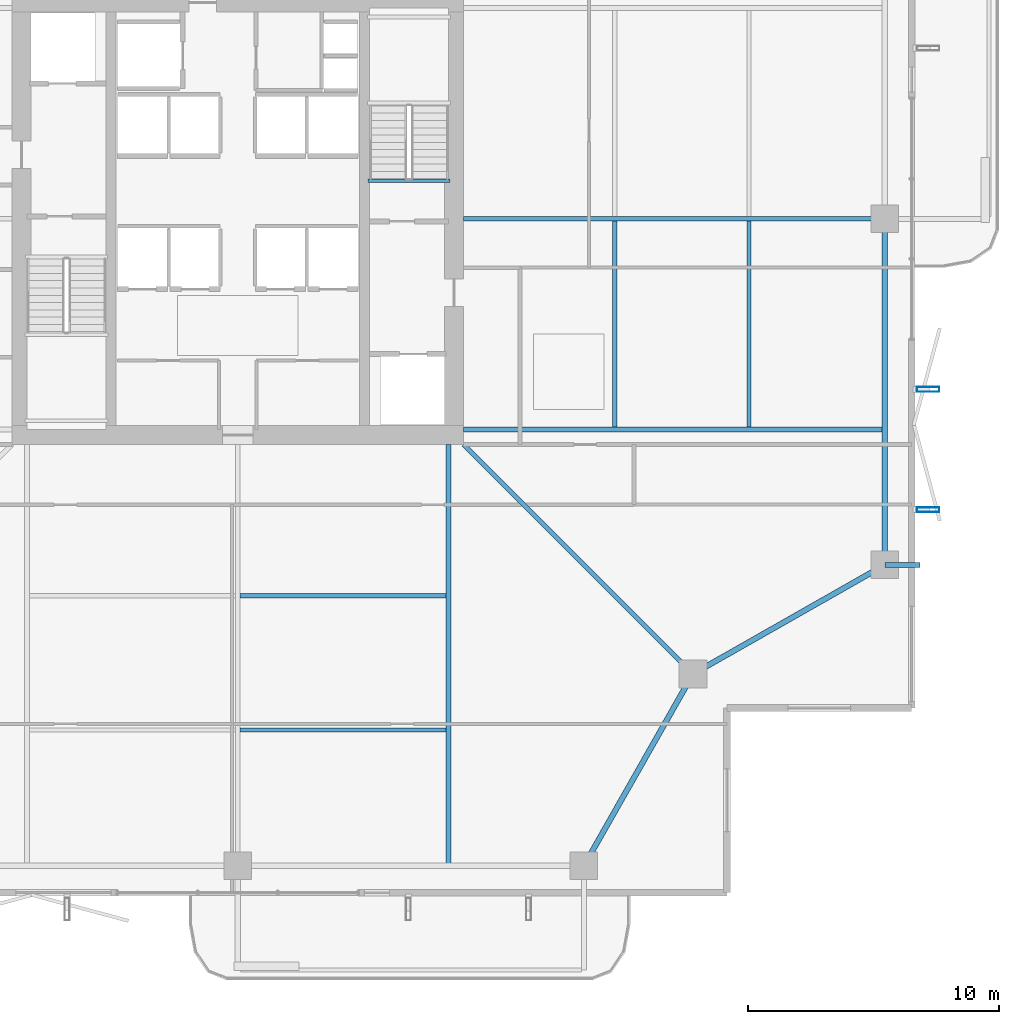
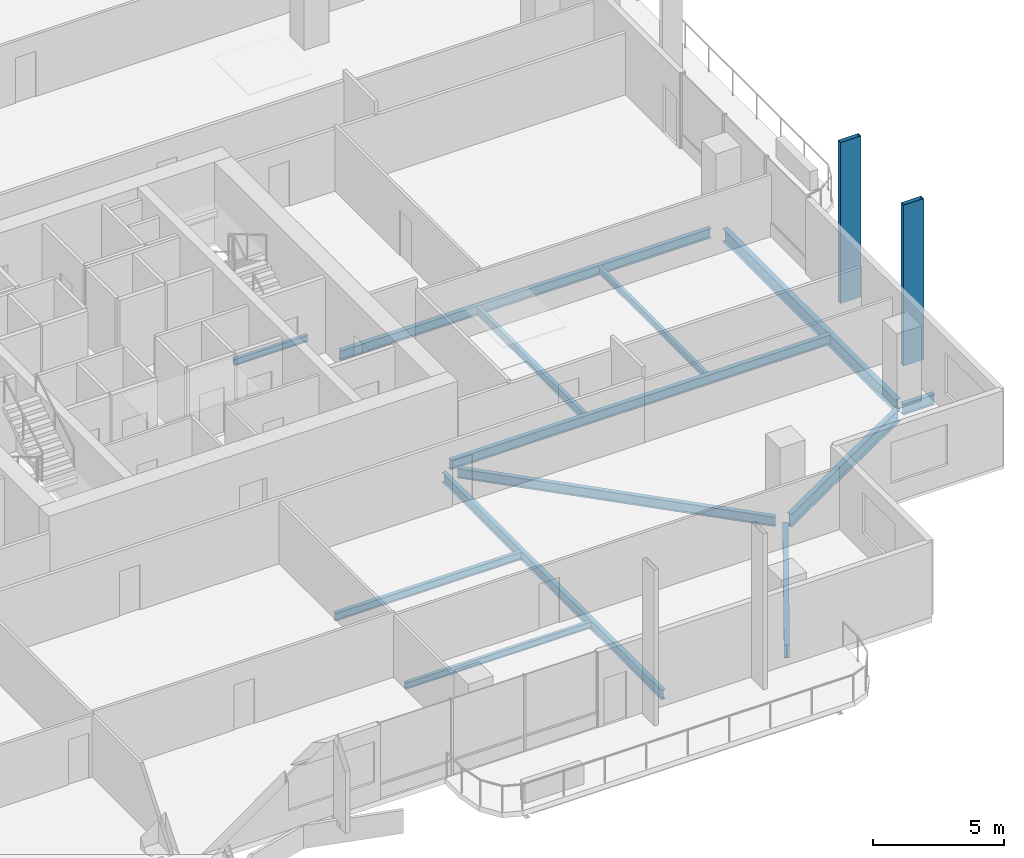
# One storey, part 7 of 24: 13 beams, 2 members.
"""IFC4 building model written with IfcOpenShell, lengths in metres."""

from ifc_helpers import new_model, si_unit, direction, frame, origin, origin_2d, place, context, subcontext, project, spatial, hollow_rectangle, i_section, extrude, material, material_profile, profile_set, type_object, element, save


model = new_model("IFC4")

# Units and contexts
model_context = context("Model", 3, precision=1e-05, world=origin(), true_north=direction((0.0, 1.0)))
body_context = subcontext(model_context, "Body", "Model", "MODEL_VIEW")
ifc_project = project(units=[si_unit("LENGTHUNIT", "METRE"), si_unit("AREAUNIT", "SQUARE_METRE"), si_unit("VOLUMEUNIT", "CUBIC_METRE"), si_unit("PLANEANGLEUNIT", "RADIAN"), si_unit("MASSUNIT", "GRAM", prefix="KILO")], contexts=[model_context])

# Site, building, storey
site_placement = place(None, origin())
site = spatial("IfcSite", under=ifc_project, at=site_placement, CompositionType="ELEMENT")
building_placement = place(site_placement, origin())
building = spatial("IfcBuilding", under=site, at=building_placement, Name="Belovzor Exchange Tower", CompositionType="ELEMENT")
storey_placement = place(building_placement, frame((0.0, 0.0, 226.199951171875)))
storey = spatial("IfcBuildingStorey", under=building, at=storey_placement, Name="L56", CompositionType="ELEMENT", Elevation=226.199951171875)

# Beams
ifc_material_1 = material(Name="Steel S355", Category="steel")
ifc_material_profile_1 = material_profile(ifc_material_1, i_section(OverallWidth=0.199951171875, OverallDepth=0.5, WebThickness=0.01025390625, FlangeThickness=0.01611328125, at=origin_2d()))
ifc_profile_set_1 = profile_set([ifc_material_profile_1], Name="Steel S355")
beam_type_1 = type_object("IfcBeamType", Name="Planted Balcony Cantilever Beam IPE 500", PredefinedType="BEAM", material=ifc_profile_set_1)
beam_1_placement = place(storey_placement, frame((54.60009765625, 15.0, -0.5), z_axis=(1.0, 0.0, 0.0), x_axis=(0.0, 1.0, 0.0)))
element("IfcBeam", 1, at=beam_1_placement, inside=storey, type_object=beam_type_1, Name="BC-500 Planted Balcony Cantilever Beam IPE 500", PredefinedType="BEAM", context=body_context, shape_type="SweptSolid", body=[
    extrude(i_section(OverallWidth=0.199951171875, OverallDepth=0.5, WebThickness=0.01025390625, FlangeThickness=0.01611328125, at=origin_2d()), origin(), (0.0, 0.0, 1.0), 1.39990234375),
])
ifc_material_2 = material(Name="Steel S355", Category="steel")
ifc_material_profile_2 = material_profile(ifc_material_2, i_section(OverallWidth=0.169921875, OverallDepth=0.360107421875, WebThickness=0.008056640625, FlangeThickness=0.0126953125, at=origin_2d()))
ifc_profile_set_2 = profile_set([ifc_material_profile_2], Name="Steel S355")
beam_type_2 = type_object("IfcBeamType", Name="Secondary Infill Floor Joist IPE 360", PredefinedType="BEAM", material=ifc_profile_set_2)
for number, where, z_axis, x_axis, name in (
    (2, (28.89501953125, 13.77197265625, -0.429931640625), (1.0, 0.0, 0.0), (0.0, 1.0, 0.0), "FJ-360 Secondary Infill Floor Joist IPE 360"),
    (3, (43.827880859375, 20.4951171875, -0.429931640625), (0.0, 1.0, 0.0), (-1.0, 0.0, 0.0), "FJ-360 Secondary Infill Floor Joist IPE 360"),
):
    element("IfcBeam", number, at=place(storey_placement, frame(where, z_axis=z_axis, x_axis=x_axis)), inside=storey, type_object=beam_type_2, Name=name, PredefinedType="BEAM", context=body_context, shape_type="SweptSolid", body=[
        extrude(i_section(OverallWidth=0.169921875, OverallDepth=0.360107421875, WebThickness=0.008056640625, FlangeThickness=0.0126953125, at=origin_2d()), origin(), (0.0, 0.0, 1.0), 8.2099609375),
    ])
ifc_material_3 = material(Name="Steel S355", Category="steel")
ifc_material_profile_3 = material_profile(ifc_material_3, i_section(OverallWidth=0.14990234375, OverallDepth=0.300048828125, WebThickness=0.007080078125, FlangeThickness=0.0107421875, at=origin_2d()))
ifc_profile_set_3 = profile_set([ifc_material_profile_3], Name="Steel S355")
beam_type_3 = type_object("IfcBeamType", Name="Secondary Trim Floor Joist IPE 300", PredefinedType="BEAM", material=ifc_profile_set_3)
beam_2_placement = place(storey_placement, frame((37.260009765625, 30.320068359375, -0.39990234375), z_axis=(-1.0, 0.0, 0.0), x_axis=(0.0, -1.0, 0.0)))
element("IfcBeam", 4, at=beam_2_placement, inside=storey, type_object=beam_type_3, Name="FJ-300 Secondary Trim Floor Joist IPE 300", PredefinedType="BEAM", context=body_context, shape_type="SweptSolid", body=[
    extrude(i_section(OverallWidth=0.14990234375, OverallDepth=0.300048828125, WebThickness=0.007080078125, FlangeThickness=0.0107421875, at=origin_2d()), origin(), (0.0, 0.0, 1.0), 3.27001953125),
])
for number, where, z_axis, x_axis, name in (
    (5, (28.89501953125, 8.4130859375, -0.39990234375), (1.0, 0.0, 0.0), (0.0, 1.0, 0.0), "FJ-300 Secondary Trim Floor Joist IPE 300"),
    (6, (49.18701171875, 20.4951171875, -0.39990234375), (0.0, 1.0, 0.0), (-1.0, 0.0, 0.0), "FJ-300 Secondary Trim Floor Joist IPE 300"),
):
    element("IfcBeam", number, at=place(storey_placement, frame(where, z_axis=z_axis, x_axis=x_axis)), inside=storey, type_object=beam_type_3, Name=name, PredefinedType="BEAM", context=body_context, shape_type="SweptSolid", body=[
        extrude(i_section(OverallWidth=0.14990234375, OverallDepth=0.300048828125, WebThickness=0.007080078125, FlangeThickness=0.0107421875, at=origin_2d()), origin(), (0.0, 0.0, 1.0), 8.2099609375),
    ])

# Members
ifc_material_4 = material(Name="Extruded Architectural Terracotta on Steel S355 Carrier", Category="masonry")
ifc_material_profile_4 = material_profile(ifc_material_4, hollow_rectangle(XDim=0.199951171875, YDim=0.89990234375, WallThickness=0.011962890625, at=origin_2d()))
ifc_profile_set_4 = profile_set([ifc_material_profile_4], Name="Extruded Architectural Terracotta on Steel S355 Carrier")
member_type = type_object("IfcMemberType", Name="Sweeping Terracotta Baguette Fin Assembly 950", PredefinedType="USERDEFINED", material=ifc_profile_set_4)
for number, where, z_axis, x_axis, name in (
    (7, (56.324951171875, 17.199951171875, -0.25), (0.0, 0.0, 1.0), (0.0, 1.0, 0.0), "FIN-TC095 Terracotta Facade Fin L56 E1"),
    (8, (56.324951171875, 22.0, -0.25), (0.0, 0.0, 1.0), (0.0, 1.0, 0.0), "FIN-TC095 Terracotta Facade Fin L56 E2"),
):
    element("IfcMember", number, at=place(storey_placement, frame(where, z_axis=z_axis, x_axis=x_axis)), inside=storey, type_object=member_type, Name=name, ObjectType="FIN", PredefinedType="USERDEFINED", context=body_context, shape_type="SweptSolid", body=[
        extrude(hollow_rectangle(XDim=0.199951171875, YDim=0.89990234375, WallThickness=0.011962890625, at=origin_2d()), origin(), (0.0, 0.0, 1.0), 7.5),
    ])

# Beams
ifc_material_5 = material(Name="Steel S355", Category="steel")
ifc_material_profile_5 = material_profile(ifc_material_5, i_section(OverallWidth=0.18994140625, OverallDepth=0.449951171875, WebThickness=0.009521484375, FlangeThickness=0.0146484375, at=origin_2d()))
ifc_profile_set_5 = profile_set([ifc_material_profile_5], Name="Steel S355")
beam_type_4 = type_object("IfcBeamType", Name="Zone 2-4 Radial Composite Floor Beam IPE 450", PredefinedType="BEAM", material=ifc_profile_set_5)
beam_3_placement = place(storey_placement, frame((37.199951171875, 19.800048828125, -0.474853515625), z_axis=(0.0, -1.0, 0.0), x_axis=(1.0, 0.0, 0.0)))
element("IfcBeam", 9, at=beam_3_placement, inside=storey, type_object=beam_type_4, Name="FB-450 Zone 2-4 Radial Composite Floor Beam IPE 450", PredefinedType="BEAM", context=body_context, shape_type="SweptSolid", body=[
    extrude(i_section(OverallWidth=0.18994140625, OverallDepth=0.449951171875, WebThickness=0.009521484375, FlangeThickness=0.0146484375, at=origin_2d()), origin(), (0.0, 0.0, 1.0), 16.7451171875),
])
beam_4_placement = place(storey_placement, frame((37.800048828125, 20.39990234375, -0.474853515625), z_axis=(1.0, 0.0, 0.0), x_axis=(0.0, 1.0, 0.0)))
element("IfcBeam", 10, at=beam_4_placement, inside=storey, type_object=beam_type_4, Name="FB-450 Zone 2-4 Radial Composite Floor Beam IPE 450", PredefinedType="BEAM", context=body_context, shape_type="SweptSolid", body=[
    extrude(i_section(OverallWidth=0.18994140625, OverallDepth=0.449951171875, WebThickness=0.009521484375, FlangeThickness=0.0146484375, at=origin_2d()), origin(), (0.0, 0.0, 1.0), 16.744873046875),
])
beam_5_placement = place(storey_placement, frame((37.800048828125, 28.800048828125, -0.474853515625), z_axis=(1.0, 0.0, 0.0), x_axis=(0.0, 1.0, 0.0)))
element("IfcBeam", 11, at=beam_5_placement, inside=storey, type_object=beam_type_4, Name="FB-450 Zone 2-4 Radial Composite Floor Beam IPE 450", PredefinedType="BEAM", context=body_context, shape_type="SweptSolid", body=[
    extrude(i_section(OverallWidth=0.18994140625, OverallDepth=0.449951171875, WebThickness=0.009521484375, FlangeThickness=0.0146484375, at=origin_2d()), origin(), (0.0, 0.0, 1.0), 16.31591796875),
])
beam_6_placement = place(storey_placement, frame((37.800048828125, 19.800048828125, -0.474853515625), z_axis=(0.707106781187, -0.707106781187, 0.0), x_axis=(0.707106781187, 0.707106781187, 0.0)))
element("IfcBeam", 12, at=beam_6_placement, inside=storey, type_object=beam_type_4, Name="FB-450 Zone 2-4 Radial Composite Floor Beam IPE 450", PredefinedType="BEAM", context=body_context, shape_type="SweptSolid", body=[
    extrude(i_section(OverallWidth=0.18994140625, OverallDepth=0.449951171875, WebThickness=0.009521484375, FlangeThickness=0.0146484375, at=origin_2d()), origin(), (0.0, 0.0, 1.0), 12.551025390625),
])
ifc_material_6 = material(Name="Steel S355", Category="steel")
ifc_material_profile_6 = material_profile(ifc_material_6, i_section(OverallWidth=0.219970703125, OverallDepth=0.60009765625, WebThickness=0.011962890625, FlangeThickness=0.01904296875, at=origin_2d()))
ifc_profile_set_6 = profile_set([ifc_material_profile_6], Name="Steel S355")
beam_type_5 = type_object("IfcBeamType", Name="Zone 4 Flare Primary Girder IPE 600", PredefinedType="BEAM", material=ifc_profile_set_6)
for number, where, z_axis, x_axis, name in (
    (13, (42.75, 3.262939453125, -0.550048828125), (0.494222323641, 0.869335547884, 0.0), (-0.869335547884, 0.494222323641, 0.0), "FG-Z4 Zone 4 Flare Primary Girder IPE 600"),
    (14, (47.212890625, 10.800048828125, -0.550048828125), (0.869335547884, 0.494222323641, 0.0), (-0.494222323641, 0.869335547884, 0.0), "FG-Z4 Zone 4 Flare Primary Girder IPE 600"),
):
    element("IfcBeam", number, at=place(storey_placement, frame(where, z_axis=z_axis, x_axis=x_axis)), inside=storey, type_object=beam_type_5, Name=name, PredefinedType="BEAM", context=body_context, shape_type="SweptSolid", body=[
        extrude(i_section(OverallWidth=0.219970703125, OverallDepth=0.60009765625, WebThickness=0.011962890625, FlangeThickness=0.01904296875, at=origin_2d()), origin(), (0.0, 0.0, 1.0), 8.19482421875),
    ])
beam_7_placement = place(storey_placement, frame((54.60009765625, 15.302978515625, -0.550048828125), z_axis=(0.0, 1.0, 0.0), x_axis=(-1.0, 0.0, 0.0)))
element("IfcBeam", 15, at=beam_7_placement, inside=storey, type_object=beam_type_5, Name="FG-Z4 Zone 4 Flare Primary Girder IPE 600", PredefinedType="BEAM", context=body_context, shape_type="SweptSolid", body=[
    extrude(i_section(OverallWidth=0.219970703125, OverallDepth=0.60009765625, WebThickness=0.011962890625, FlangeThickness=0.01904296875, at=origin_2d()), origin(), (0.0, 0.0, 1.0), 13.195068359375),
])

save(model, "model.ifc")
